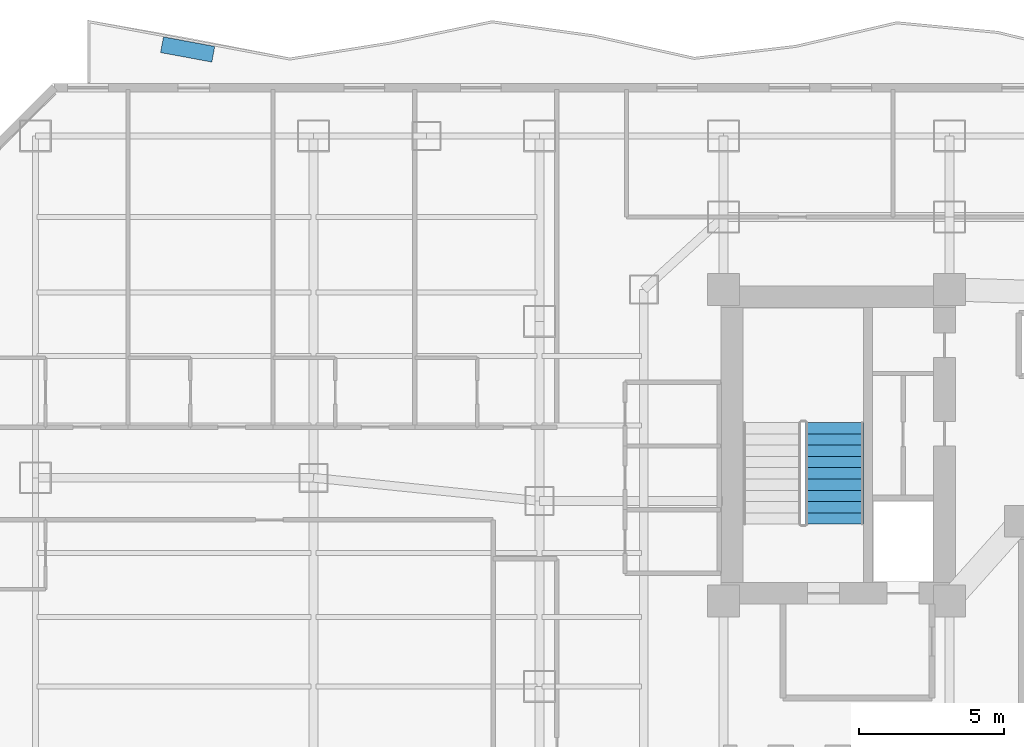
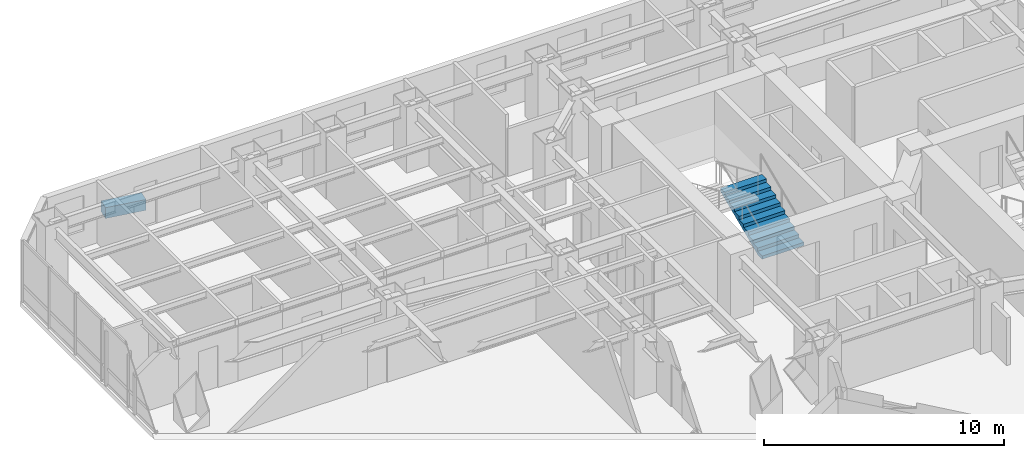
# One storey, part 28 of 33: 1 discrete accessory, 1 stair flight, 1 element without a shape of its own.
"""IFC4 building model written with IfcOpenShell, lengths in metres."""

from ifc_helpers import new_model, si_unit, direction, frame, origin, origin_2d, place, context, subcontext, project, spatial, polyline, rectangle, outline, extrude, material, type_object, element, aggregate, save


model = new_model("IFC4")

# Units and contexts
model_context = context("Model", 3, precision=1e-05, world=origin(), true_north=direction((0.0, 1.0)))
body_context = subcontext(model_context, "Body", "Model", "MODEL_VIEW")
ifc_project = project(units=[si_unit("LENGTHUNIT", "METRE"), si_unit("AREAUNIT", "SQUARE_METRE"), si_unit("VOLUMEUNIT", "CUBIC_METRE"), si_unit("PLANEANGLEUNIT", "RADIAN"), si_unit("MASSUNIT", "GRAM", prefix="KILO")], contexts=[model_context])

# Site, building, storey
site_placement = place(None, origin())
site = spatial("IfcSite", under=ifc_project, at=site_placement, CompositionType="ELEMENT")
building_placement = place(site_placement, origin())
building = spatial("IfcBuilding", under=site, at=building_placement, Name="Hatsunagi Terrace Concourse", CompositionType="ELEMENT")
storey_placement = place(building_placement, frame((0.0, 0.0, 43.300048828125)))
storey = spatial("IfcBuildingStorey", under=building, at=storey_placement, Name="L10", CompositionType="ELEMENT", Elevation=43.300048828125)

# Stair, stair flight
ifc_material_1 = material(Name="Concrete Fc42", Category="concrete")
stair_type = type_object("IfcStairType", Name="DoglegExitStair_Tower2000_20R_168", PredefinedType="HALF_TURN_STAIR", material=ifc_material_1)
stair_placement = place(storey_placement, origin())
stair = element("IfcStair", 1, at=stair_placement, inside=storey, type_object=stair_type, Name="L10 Core A Protected Exit Stair ST-A", PredefinedType="HALF_TURN_STAIR")
ifc_material_2 = material(Name="Concrete Fc42", Category="concrete")
stair_flight_type = type_object("IfcStairFlightType", Name="DoglegStairFlight_Tower2000_20R_168", PredefinedType="STRAIGHT", material=ifc_material_2)
stair_flight_placement = place(storey_placement, frame((29.3798828125, 35.199951171875, 0.0), z_axis=(0.0, 0.0, 1.0), x_axis=(0.0, 1.0, 0.0)))
stair_flight = element("IfcStairFlight", 2, at=stair_flight_placement, type_object=stair_flight_type, Name="ST-A flight 1", NumberOfRisers=10, NumberOfTreads=9, PredefinedType="STRAIGHT", RiserHeight=0.1675, TreadLength=0.39, context=body_context, shape_type="SweptSolid", body=[
    extrude(outline(polyline([(0.0, 0.0), (0.0, 0.16748046875), (0.389892578125, 0.16748046875), (0.389892578125, 0.3349609375), (0.780029296875, 0.3349609375), (0.780029296875, 0.50244140625), (1.169921875, 0.50244140625), (1.169921875, 0.669921875), (1.56005859375, 0.669921875), (1.56005859375, 0.83740234375), (1.949951171875, 0.83740234375), (1.949951171875, 1.0048828125), (2.340087890625, 1.0048828125), (2.340087890625, 1.172607421875), (2.72998046875, 1.172607421875), (2.72998046875, 1.340087890625), (3.1201171875, 1.340087890625), (3.1201171875, 1.507568359375), (3.510009765625, 1.507568359375), (3.510009765625, 1.675048828125), (3.510009765625, 1.34423828125), (0.3798828125, 0.0), (0.0, 0.0)])), frame((0.0, 1.0, 0.0), z_axis=(0.0, -1.0, 0.0), x_axis=(1.0, 0.0, 0.0)), (0.0, 0.0, 1.0), 2.0),
])
aggregate(stair, [stair_flight])

# Discrete accessory
ifc_material_3 = material(Name="Architectural Precast Terracotta Planter", Category="masonry")
discrete_accessory_type = type_object("IfcDiscreteAccessoryType", Name="SkyGardenPlanterEdge_450", PredefinedType="USERDEFINED", material=ifc_material_3)
discrete_accessory_placement = place(storey_placement, frame((7.056884765625, 51.58203125, 0.0), z_axis=(0.0, 0.0, 1.0), x_axis=(0.983165733079, -0.182716012707, 0.0)))
element("IfcDiscreteAccessory", 3, at=discrete_accessory_placement, inside=storey, type_object=discrete_accessory_type, Name="Balcony Greenery Planter L10-BN", ObjectType="PLANTER", PredefinedType="USERDEFINED", context=body_context, shape_type="SweptSolid", body=[
    extrude(rectangle(XDim=1.800048828125, YDim=0.550048828125, at=origin_2d()), origin(), (0.0, 0.0, 1.0), 0.550048828125),
])

save(model, "model.ifc")
